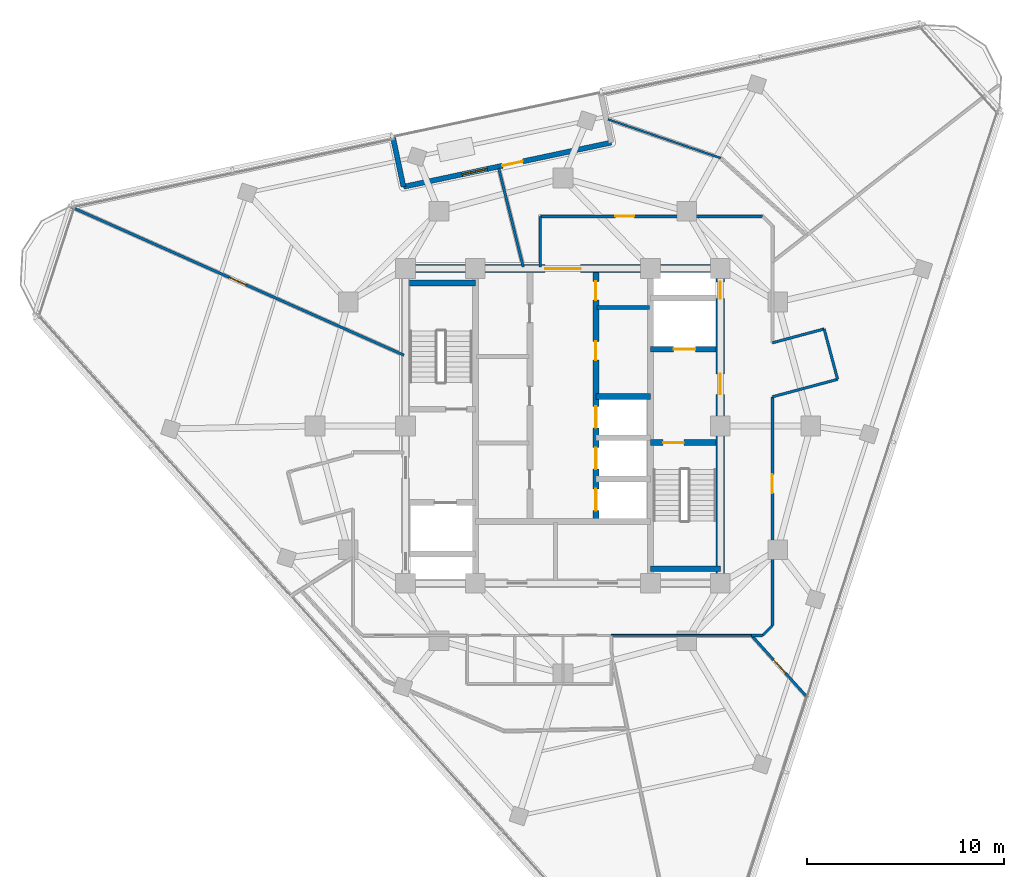
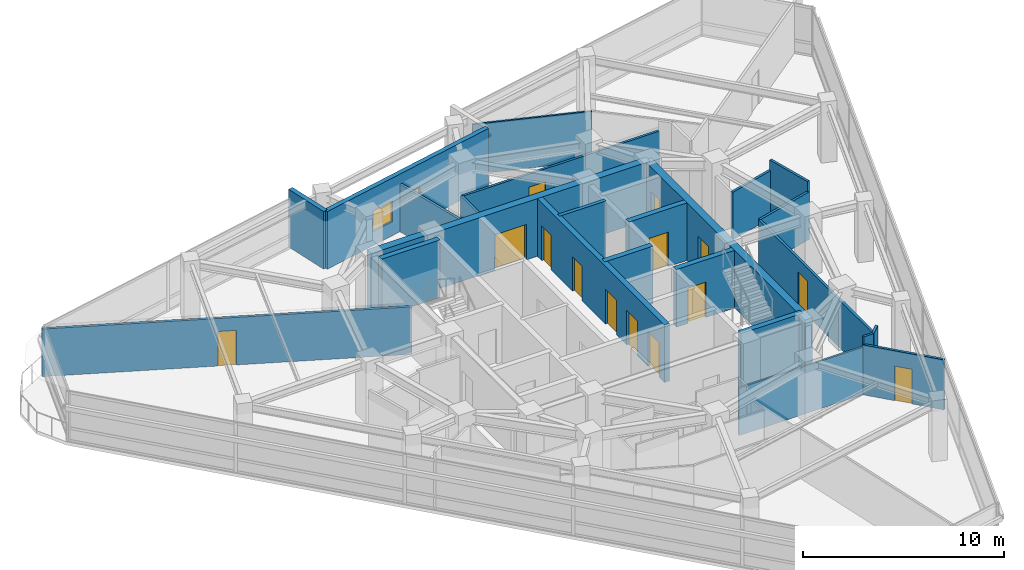
# One storey, part 9 of 15: 24 walls, 15 doors, 1 window, 16 openings.
"""IFC4 building model written with IfcOpenShell, lengths in metres."""

from ifc_helpers import new_model, si_unit, direction, frame, frame_2d, origin, place, context, subcontext, project, spatial, rectangle, extrude, material, layer, layer_set, type_object, element, fill, save


model = new_model("IFC4")

# Units and contexts
model_context = context("Model", 3, precision=1e-05, world=origin(), true_north=direction((0.0, 1.0)))
body_context = subcontext(model_context, "Body", "Model", "MODEL_VIEW")
ifc_project = project(units=[si_unit("LENGTHUNIT", "METRE"), si_unit("AREAUNIT", "SQUARE_METRE"), si_unit("VOLUMEUNIT", "CUBIC_METRE"), si_unit("PLANEANGLEUNIT", "RADIAN"), si_unit("MASSUNIT", "GRAM", prefix="KILO")], contexts=[model_context])

# Site, building, storey
site_placement = place(None, origin())
site = spatial("IfcSite", under=ifc_project, at=site_placement, CompositionType="ELEMENT")
building_placement = place(site_placement, origin())
building = spatial("IfcBuilding", under=site, at=building_placement, Name="Terralouvre Media Tower", CompositionType="ELEMENT")
storey_placement = place(building_placement, frame((0.0, 0.0, 290.60009765625)))
storey = spatial("IfcBuildingStorey", under=building, at=storey_placement, Name="L75", CompositionType="ELEMENT", Elevation=290.60009765625)

# Wall
ifc_material_1 = material(Name="Concrete C50/60", Category="concrete")
ifc_layer_1 = layer(ifc_material_1, 0.300048828125, Name="Core Internal Shaft Wall CW-300")
ifc_layer_set_1 = layer_set([ifc_layer_1], Name="Concrete C50/60")
wall_type_1 = type_object("IfcWallType", Name="Core Internal Shaft Wall CW-300", PredefinedType="SHEAR", material=ifc_layer_set_1)
wall_1_placement = place(storey_placement, frame((-7.7900390625, 7.260009765625, 0.0), z_axis=(0.0, 0.0, 1.0), x_axis=(1.0, 0.0, 0.0)))
element("IfcWall", 1, at=wall_1_placement, inside=storey, type_object=wall_type_1, Name="L75 Core Shaft Wall ST1F", PredefinedType="SHEAR", context=body_context, shape_type="SweptSolid", body=[
    extrude(rectangle(XDim=3.340087890625, YDim=0.300048828125, at=frame_2d((1.669921875, 0.0))), origin(), (0.0, 0.0, 1.0), 3.5),
])

# Wall, opening, door
wall_2_placement = place(storey_placement, frame((4.449951171875, -0.85009765625, 0.0), z_axis=(0.0, 0.0, 1.0), x_axis=(1.0, 0.0, 0.0)))
wall_2 = element("IfcWall", 2, at=wall_2_placement, inside=storey, type_object=wall_type_1, Name="L75 Core Shaft Wall ST2D", PredefinedType="SHEAR", context=body_context, shape_type="SweptSolid", body=[
    extrude(rectangle(XDim=3.340087890625, YDim=0.300048828125, at=frame_2d((1.669921875, 0.0))), origin(), (0.0, 0.0, 1.0), 3.5),
])
opening_1_placement = place(wall_2_placement, frame((0.64990234375, 0.0, 0.0)))
opening_1 = element("IfcOpeningElement", 3, at=opening_1_placement, cuts=wall_2, Name="Opening FD-01-105X215", PredefinedType="OPENING", context=body_context, shape_type="SweptSolid", body=[
    extrude(rectangle(XDim=1.050048828125, YDim=2.14990234375, at=frame_2d((0.52490234375, 1.074951171875))), frame((0.0, 0.159912109375, 0.0), z_axis=(0.0, -1.0, 0.0), x_axis=(1.0, 0.0, 0.0)), (0.0, 0.0, 1.0), 0.320068359375),
])
ifc_material_2 = material(Name="Galvanised steel fire-resisting leaf", Category="steel")
door_type_1 = type_object("IfcDoorType", Name="Stair and Firefighting Lobby Fire Door FD-01 (1050x2150)", OperationType="NOTDEFINED", PredefinedType="DOOR", material=ifc_material_2)
door_1_placement = place(opening_1_placement, origin())
door_1 = element("IfcDoor", 4, at=door_1_placement, inside=storey, type_object=door_type_1, Name="L75 ST-02 Exit Stair Door", OperationType="SINGLE_SWING_RIGHT", OverallHeight=2.14990234375, OverallWidth=1.050048828125, PredefinedType="DOOR", context=body_context, shape_type="SweptSolid", body=[
    extrude(rectangle(XDim=1.050048828125, YDim=2.14990234375, at=frame_2d((0.52490234375, 1.074951171875))), frame((0.0, 0.02490234375, 0.0), z_axis=(0.0, -1.0, 0.0), x_axis=(1.0, 0.0, 0.0)), (0.0, 0.0, 1.0), 0.050048828125),
])
fill(opening_1, door_1)

# Wall
wall_3_placement = place(storey_placement, frame((4.449951171875, -7.260009765625, 0.0), z_axis=(0.0, 0.0, 1.0), x_axis=(1.0, 0.0, 0.0)))
element("IfcWall", 5, at=wall_3_placement, inside=storey, type_object=wall_type_1, Name="L75 Core Shaft Wall ST2F", PredefinedType="SHEAR", context=body_context, shape_type="SweptSolid", body=[
    extrude(rectangle(XDim=3.550048828125, YDim=0.300048828125, at=frame_2d((1.77490234375, 0.0))), origin(), (0.0, 0.0, 1.0), 3.5),
])

# Wall, opening, door
wall_4_placement = place(storey_placement, frame((4.449951171875, 3.89990234375, 0.0), z_axis=(0.0, 0.0, 1.0), x_axis=(1.0, 0.0, 0.0)))
wall_4 = element("IfcWall", 6, at=wall_4_placement, inside=storey, type_object=wall_type_1, Name="L75 Core Shaft Wall FF2S", PredefinedType="SHEAR", context=body_context, shape_type="SweptSolid", body=[
    extrude(rectangle(XDim=3.340087890625, YDim=0.300048828125, at=frame_2d((1.669921875, 0.0))), origin(), (0.0, 0.0, 1.0), 3.5),
])
opening_2_placement = place(wall_4_placement, frame((1.179931640625, 0.0, 0.0)))
opening_2 = element("IfcOpeningElement", 7, at=opening_2_placement, cuts=wall_4, Name="Opening LD-FF", PredefinedType="OPENING", context=body_context, shape_type="SweptSolid", body=[
    extrude(rectangle(XDim=1.10009765625, YDim=2.10009765625, at=frame_2d((0.550048828125, 1.050048828125))), frame((0.0, 0.159912109375, 0.0), z_axis=(0.0, -1.0, 0.0), x_axis=(1.0, 0.0, 0.0)), (0.0, 0.0, 1.0), 0.320068359375),
])
ifc_material_3 = material(Name="Stainless steel 316 handrail and balustrade", Category="steel")
door_type_2 = type_object("IfcDoorType", Name="Firefighting Lift Sliding Landing Door LD-FF", OperationType="SLIDING_TO_LEFT", PredefinedType="DOOR", material=ifc_material_3)
door_2_placement = place(opening_2_placement, origin())
door_2 = element("IfcDoor", 8, at=door_2_placement, inside=storey, type_object=door_type_2, Name="L75 Firefighting Lift FFL-02 Landing Door", OperationType="SLIDING_TO_LEFT", OverallHeight=2.10009765625, OverallWidth=1.10009765625, PredefinedType="DOOR", context=body_context, shape_type="SweptSolid", body=[
    extrude(rectangle(XDim=1.10009765625, YDim=2.10009765625, at=frame_2d((0.550048828125, 1.050048828125))), frame((0.0, 0.02490234375, 0.0), z_axis=(0.0, -1.0, 0.0), x_axis=(1.0, 0.0, 0.0)), (0.0, 0.0, 1.0), 0.050048828125),
])
fill(opening_2, door_2)

# Wall, openings, doors
wall_5_placement = place(storey_placement, frame((1.679931640625, -4.85009765625, 0.0), z_axis=(0.0, 0.0, 1.0), x_axis=(0.0, 1.0, 0.0)))
wall_5 = element("IfcWall", 9, at=wall_5_placement, inside=storey, type_object=wall_type_1, Name="L75 Core Shaft Wall LBE", PredefinedType="SHEAR", context=body_context, shape_type="SweptSolid", body=[
    extrude(rectangle(XDim=12.64013671875, YDim=0.300048828125, at=frame_2d((6.320068359375, 0.0))), origin(), (0.0, 0.0, 1.0), 3.5),
])
opening_3_placement = place(wall_5_placement, frame((0.550048828125, 0.0, 0.0)))
opening_3 = element("IfcOpeningElement", 10, at=opening_3_placement, cuts=wall_5, Name="Opening LD-PL", PredefinedType="OPENING", context=body_context, shape_type="SweptSolid", body=[
    extrude(rectangle(XDim=1.10009765625, YDim=2.10009765625, at=frame_2d((0.550048828125, 1.050048828125))), frame((0.0, 0.159912109375, 0.0), z_axis=(0.0, -1.0, 0.0), x_axis=(1.0, 0.0, 0.0)), (0.0, 0.0, 1.0), 0.320068359375),
])
opening_4_placement = place(wall_5_placement, frame((2.64990234375, 0.0, 0.0)))
opening_4 = element("IfcOpeningElement", 11, at=opening_4_placement, cuts=wall_5, Name="Opening LD-PL", PredefinedType="OPENING", context=body_context, shape_type="SweptSolid", body=[
    extrude(rectangle(XDim=1.10009765625, YDim=2.10009765625, at=frame_2d((0.550048828125, 1.050048828125))), frame((0.0, 0.159912109375, 0.0), z_axis=(0.0, -1.0, 0.0), x_axis=(1.0, 0.0, 0.0)), (0.0, 0.0, 1.0), 0.320068359375),
])
opening_5_placement = place(wall_5_placement, frame((4.75, 0.0, 0.0)))
opening_5 = element("IfcOpeningElement", 12, at=opening_5_placement, cuts=wall_5, Name="Opening LD-PL", PredefinedType="OPENING", context=body_context, shape_type="SweptSolid", body=[
    extrude(rectangle(XDim=1.10009765625, YDim=2.10009765625, at=frame_2d((0.550048828125, 1.050048828125))), frame((0.0, 0.159912109375, 0.0), z_axis=(0.0, -1.0, 0.0), x_axis=(1.0, 0.0, 0.0)), (0.0, 0.0, 1.0), 0.320068359375),
])
opening_6_placement = place(wall_5_placement, frame((8.199951171875, 0.0, 0.0)))
opening_6 = element("IfcOpeningElement", 13, at=opening_6_placement, cuts=wall_5, Name="Opening FD-02-95X210", PredefinedType="OPENING", context=body_context, shape_type="SweptSolid", body=[
    extrude(rectangle(XDim=0.949951171875, YDim=2.10009765625, at=frame_2d((0.47509765625, 1.050048828125))), frame((0.0, 0.159912109375, 0.0), z_axis=(0.0, -1.0, 0.0), x_axis=(1.0, 0.0, 0.0)), (0.0, 0.0, 1.0), 0.320068359375),
])
opening_7_placement = place(wall_5_placement, frame((11.25, 0.0, 0.0)))
opening_7 = element("IfcOpeningElement", 14, at=opening_7_placement, cuts=wall_5, Name="Opening SD-02", PredefinedType="OPENING", context=body_context, shape_type="SweptSolid", body=[
    extrude(rectangle(XDim=0.949951171875, YDim=2.10009765625, at=frame_2d((0.47509765625, 1.050048828125))), frame((0.0, 0.159912109375, 0.0), z_axis=(0.0, -1.0, 0.0), x_axis=(1.0, 0.0, 0.0)), (0.0, 0.0, 1.0), 0.320068359375),
])
ifc_material_4 = material(Name="Galvanised steel fire-resisting leaf", Category="steel")
door_type_3 = type_object("IfcDoorType", Name="Core Service Sliding Fire Door SD-02", OperationType="SLIDING_TO_LEFT", PredefinedType="DOOR", material=ifc_material_4)
door_3_placement = place(opening_7_placement, origin())
door_3 = element("IfcDoor", 15, at=door_3_placement, inside=storey, type_object=door_type_3, Name="L75 Core Hospitality Store Door", OperationType="SLIDING_TO_LEFT", OverallHeight=2.10009765625, OverallWidth=0.949951171875, PredefinedType="DOOR", context=body_context, shape_type="SweptSolid", body=[
    extrude(rectangle(XDim=0.949951171875, YDim=2.10009765625, at=frame_2d((0.47509765625, 1.050048828125))), frame((0.0, 0.02490234375, 0.0), z_axis=(0.0, -1.0, 0.0), x_axis=(1.0, 0.0, 0.0)), (0.0, 0.0, 1.0), 0.050048828125),
])
fill(opening_7, door_3)
ifc_material_5 = material(Name="Stainless steel 316 handrail and balustrade", Category="steel")
door_type_4 = type_object("IfcDoorType", Name="Passenger Lift Sliding Landing Door LD-PL", OperationType="SLIDING_TO_LEFT", PredefinedType="DOOR", material=ifc_material_5)
door_4_placement = place(opening_3_placement, origin())
door_4 = element("IfcDoor", 16, at=door_4_placement, inside=storey, type_object=door_type_4, Name="L75 High-Rise Lift PL-H1 Landing Door", OperationType="SLIDING_TO_LEFT", OverallHeight=2.10009765625, OverallWidth=1.10009765625, PredefinedType="DOOR", context=body_context, shape_type="SweptSolid", body=[
    extrude(rectangle(XDim=1.10009765625, YDim=2.10009765625, at=frame_2d((0.550048828125, 1.050048828125))), frame((0.0, 0.02490234375, 0.0), z_axis=(0.0, -1.0, 0.0), x_axis=(1.0, 0.0, 0.0)), (0.0, 0.0, 1.0), 0.050048828125),
])
fill(opening_3, door_4)
door_5_placement = place(opening_4_placement, origin())
door_5 = element("IfcDoor", 17, at=door_5_placement, inside=storey, type_object=door_type_4, Name="L75 High-Rise Lift PL-H2 Landing Door", OperationType="SLIDING_TO_LEFT", OverallHeight=2.10009765625, OverallWidth=1.10009765625, PredefinedType="DOOR", context=body_context, shape_type="SweptSolid", body=[
    extrude(rectangle(XDim=1.10009765625, YDim=2.10009765625, at=frame_2d((0.550048828125, 1.050048828125))), frame((0.0, 0.02490234375, 0.0), z_axis=(0.0, -1.0, 0.0), x_axis=(1.0, 0.0, 0.0)), (0.0, 0.0, 1.0), 0.050048828125),
])
fill(opening_4, door_5)
door_6_placement = place(opening_5_placement, origin())
door_6 = element("IfcDoor", 18, at=door_6_placement, inside=storey, type_object=door_type_4, Name="L75 High-Rise Lift PL-H3 Landing Door", OperationType="SLIDING_TO_LEFT", OverallHeight=2.10009765625, OverallWidth=1.10009765625, PredefinedType="DOOR", context=body_context, shape_type="SweptSolid", body=[
    extrude(rectangle(XDim=1.10009765625, YDim=2.10009765625, at=frame_2d((0.550048828125, 1.050048828125))), frame((0.0, 0.02490234375, 0.0), z_axis=(0.0, -1.0, 0.0), x_axis=(1.0, 0.0, 0.0)), (0.0, 0.0, 1.0), 0.050048828125),
])
fill(opening_5, door_6)
ifc_material_6 = material(Name="Galvanised steel fire-resisting leaf", Category="steel")
door_type_5 = type_object("IfcDoorType", Name="Plant and Riser Fire Door FD-02 (950x2100)", OperationType="NOTDEFINED", PredefinedType="DOOR", material=ifc_material_6)
door_7_placement = place(opening_6_placement, origin())
door_7 = element("IfcDoor", 19, at=door_7_placement, inside=storey, type_object=door_type_5, Name="L75 Core Telemetry Plant Door", OperationType="SINGLE_SWING_RIGHT", OverallHeight=2.10009765625, OverallWidth=0.949951171875, PredefinedType="DOOR", context=body_context, shape_type="SweptSolid", body=[
    extrude(rectangle(XDim=0.949951171875, YDim=2.10009765625, at=frame_2d((0.47509765625, 1.050048828125))), frame((0.0, 0.02490234375, 0.0), z_axis=(0.0, -1.0, 0.0), x_axis=(1.0, 0.0, 0.0)), (0.0, 0.0, 1.0), 0.050048828125),
])
fill(opening_6, door_7)

# Wall
wall_6_placement = place(storey_placement, frame((1.679931640625, 1.5, 0.0), z_axis=(0.0, 0.0, 1.0), x_axis=(1.0, 0.0, 0.0)))
element("IfcWall", 20, at=wall_6_placement, inside=storey, type_object=wall_type_1, Name="L75 Core Shaft Wall PLMBOT", PredefinedType="SHEAR", context=body_context, shape_type="SweptSolid", body=[
    extrude(rectangle(XDim=2.77001953125, YDim=0.300048828125, at=frame_2d((1.385009765625, 0.0))), origin(), (0.0, 0.0, 1.0), 3.5),
])

# Wall, openings, doors
ifc_material_7 = material(Name="Concrete C60/75", Category="concrete")
ifc_layer_2 = layer(ifc_material_7, 0.419921875, Name="Core Reinforced Concrete Shear Wall CW-420")
ifc_layer_set_2 = layer_set([ifc_layer_2], Name="Concrete C60/75")
wall_type_2 = type_object("IfcWallType", Name="Core Reinforced Concrete Shear Wall CW-420", PredefinedType="SHEAR", material=ifc_layer_set_2)
wall_7_placement = place(storey_placement, frame((8.0, -8.0, 0.0), z_axis=(0.0, 0.0, 1.0), x_axis=(0.0, 1.0, 0.0)))
wall_7 = element("IfcWall", 21, at=wall_7_placement, inside=storey, type_object=wall_type_2, Name="L75 E Core Shear Wall", PredefinedType="SHEAR", context=body_context, shape_type="SweptSolid", body=[
    extrude(rectangle(XDim=16.0, YDim=0.419921875, at=frame_2d((8.0, 0.0))), origin(), (0.0, 0.0, 1.0), 3.5),
])
opening_8_placement = place(wall_7_placement, frame((9.60009765625, 0.0, 0.0)))
opening_8 = element("IfcOpeningElement", 22, at=opening_8_placement, cuts=wall_7, Name="Opening FD-01-105X215", PredefinedType="OPENING", context=body_context, shape_type="SweptSolid", body=[
    extrude(rectangle(XDim=1.050048828125, YDim=2.14990234375, at=frame_2d((0.52490234375, 1.074951171875))), frame((0.0, 0.219970703125, 0.0), z_axis=(0.0, -1.0, 0.0), x_axis=(1.0, 0.0, 0.0)), (0.0, 0.0, 1.0), 0.43994140625),
])
opening_9_placement = place(wall_7_placement, frame((14.468994140625, 0.0, 0.0)))
opening_9 = element("IfcOpeningElement", 23, at=opening_9_placement, cuts=wall_7, Name="Opening TD-R1", PredefinedType="OPENING", context=body_context, shape_type="SweptSolid", body=[
    extrude(rectangle(XDim=0.85009765625, YDim=2.02001953125, at=frame_2d((0.425048828125, 1.010009765625))), frame((0.0, 0.219970703125, 0.0), z_axis=(0.0, -1.0, 0.0), x_axis=(1.0, 0.0, 0.0)), (0.0, 0.0, 1.0), 0.43994140625),
])
ifc_material_8 = material(Name="Galvanised steel fire-resisting leaf", Category="steel")
door_type_6 = type_object("IfcDoorType", Name="Riser Inspection Access Trapdoor TD-R1", OperationType="NOTDEFINED", PredefinedType="TRAPDOOR", material=ifc_material_8)
door_8_placement = place(opening_9_placement, origin())
door_8 = element("IfcDoor", 24, at=door_8_placement, inside=storey, type_object=door_type_6, Name="L75 East Comms Riser Access Trapdoor", OperationType="SINGLE_SWING_RIGHT", OverallHeight=2.02001953125, OverallWidth=0.85009765625, PredefinedType="TRAPDOOR", context=body_context, shape_type="SweptSolid", body=[
    extrude(rectangle(XDim=0.85009765625, YDim=2.02001953125, at=frame_2d((0.425048828125, 1.010009765625))), frame((0.0, 0.02490234375, 0.0), z_axis=(0.0, -1.0, 0.0), x_axis=(1.0, 0.0, 0.0)), (0.0, 0.0, 1.0), 0.050048828125),
])
fill(opening_9, door_8)
door_9_placement = place(opening_8_placement, origin())
door_9 = element("IfcDoor", 25, at=door_9_placement, inside=storey, type_object=door_type_1, Name="L75 East Firefighting Lobby Entry Door", OperationType="SINGLE_SWING_LEFT", OverallHeight=2.14990234375, OverallWidth=1.050048828125, PredefinedType="DOOR", context=body_context, shape_type="SweptSolid", body=[
    extrude(rectangle(XDim=1.050048828125, YDim=2.14990234375, at=frame_2d((0.52490234375, 1.074951171875))), frame((0.0, 0.02490234375, 0.0), z_axis=(0.0, -1.0, 0.0), x_axis=(1.0, 0.0, 0.0)), (0.0, 0.0, 1.0), 0.050048828125),
])
fill(opening_8, door_9)

# Wall, opening, door
wall_8_placement = place(storey_placement, frame((-8.0, 8.0, 0.0), z_axis=(0.0, 0.0, 1.0), x_axis=(1.0, 0.0, 0.0)))
wall_8 = element("IfcWall", 26, at=wall_8_placement, inside=storey, type_object=wall_type_2, Name="L75 N Core Shear Wall", PredefinedType="SHEAR", context=body_context, shape_type="SweptSolid", body=[
    extrude(rectangle(XDim=16.0, YDim=0.419921875, at=frame_2d((8.0, 0.0))), origin(), (0.0, 0.0, 1.0), 3.5),
])
opening_10_placement = place(wall_8_placement, frame((7.10009765625, 0.0, 0.0)))
opening_10 = element("IfcOpeningElement", 27, at=opening_10_placement, cuts=wall_8, Name="Opening FD-03", PredefinedType="OPENING", context=body_context, shape_type="SweptSolid", body=[
    extrude(rectangle(XDim=1.800048828125, YDim=2.14990234375, at=frame_2d((0.89990234375, 1.074951171875))), frame((0.0, 0.219970703125, 0.0), z_axis=(0.0, -1.0, 0.0), x_axis=(1.0, 0.0, 0.0)), (0.0, 0.0, 1.0), 0.43994140625),
])
ifc_material_9 = material(Name="Galvanised steel fire-resisting leaf", Category="steel")
door_type_7 = type_object("IfcDoorType", Name="Corridor Smoke-Control Double Door FD-03", OperationType="DOUBLE_DOOR_SINGLE_SWING", PredefinedType="DOOR", material=ifc_material_9)
door_10_placement = place(opening_10_placement, origin())
door_10 = element("IfcDoor", 28, at=door_10_placement, inside=storey, type_object=door_type_7, Name="L75 Central Lift Lobby Portal Door", OperationType="DOUBLE_DOOR_SINGLE_SWING", OverallHeight=2.14990234375, OverallWidth=1.800048828125, PredefinedType="DOOR", context=body_context, shape_type="SweptSolid", body=[
    extrude(rectangle(XDim=1.800048828125, YDim=2.14990234375, at=frame_2d((0.89990234375, 1.074951171875))), frame((0.0, 0.02490234375, 0.0), z_axis=(0.0, -1.0, 0.0), x_axis=(1.0, 0.0, 0.0)), (0.0, 0.0, 1.0), 0.050048828125),
])
fill(opening_10, door_10)

# Walls
ifc_material_10 = material(Name="Low-iron laminated double glazing with solar-control coating", Category="glass")
ifc_layer_3 = layer(ifc_material_10, 0.10009765625, Name="Demountable Glazed Office Partition PT-GL100")
ifc_layer_set_3 = layer_set([ifc_layer_3], Name="Low-iron laminated double glazing with solar-control coating")
wall_type_3 = type_object("IfcWallType", Name="Demountable Glazed Office Partition PT-GL100", PredefinedType="MOVABLE", material=ifc_layer_set_3)
wall_9_placement = place(storey_placement, frame((2.449951171875, -10.64990234375, 0.0), z_axis=(0.0, 0.0, 1.0), x_axis=(1.0, 0.0, 0.0)))
element("IfcWall", 29, at=wall_9_placement, inside=storey, type_object=wall_type_3, Name="L75 Interior Partition 019", PredefinedType="MOVABLE", context=body_context, shape_type="SweptSolid", body=[
    extrude(rectangle(XDim=7.13916015625, YDim=0.10009765625, at=frame_2d((3.569580078125, 0.0))), origin(), (0.0, 0.0, 1.0), 2.885009765625),
])
wall_10_placement = place(storey_placement, frame((2.28955078125, 15.5859375, 0.0), z_axis=(0.0, 0.0, 1.0), x_axis=(0.945564214682, -0.325435578745, 0.0)))
element("IfcWall", 30, at=wall_10_placement, inside=storey, type_object=wall_type_3, Name="L75 Interior Partition 043", PredefinedType="MOVABLE", context=body_context, shape_type="SweptSolid", body=[
    extrude(rectangle(XDim=6.059326171875, YDim=0.10009765625, at=frame_2d((3.02978515625, 0.0))), origin(), (0.0, 0.0, 1.0), 3.034912109375),
])
ifc_material_11 = material(Name="Fire-rated gypsum board drywall partition")
ifc_layer_4 = layer(ifc_material_11, 0.199951171875, Name="Fire-Rated Shaft and Lobby Partition FW-200")
ifc_layer_set_4 = layer_set([ifc_layer_4], Name="Fire-rated gypsum board drywall partition")
wall_type_4 = type_object("IfcWallType", Name="Fire-Rated Shaft and Lobby Partition FW-200", PredefinedType="SOLIDWALL", material=ifc_layer_set_4)
wall_11_placement = place(storey_placement, frame((1.719970703125, 6.010009765625, 0.0), z_axis=(0.0, 0.0, 1.0), x_axis=(1.0, 0.0, 0.0)))
element("IfcWall", 31, at=wall_11_placement, inside=storey, type_object=wall_type_4, Name="L75 Core East Sub-Partition 1", PredefinedType="SOLIDWALL", context=body_context, shape_type="SweptSolid", body=[
    extrude(rectangle(XDim=2.679931640625, YDim=0.199951171875, at=frame_2d((1.33984375, 0.0))), origin(), (0.0, 0.0, 1.0), 3.5),
])
ifc_material_12 = material(Name="Fire-rated gypsum board drywall partition")
ifc_layer_5 = layer(ifc_material_12, 0.135009765625, Name="Newsroom Acoustic Partition PT-135")
ifc_layer_set_5 = layer_set([ifc_layer_5], Name="Fire-rated gypsum board drywall partition")
wall_type_5 = type_object("IfcWallType", Name="Newsroom Acoustic Partition PT-135", PredefinedType="PARTITIONING", material=ifc_layer_set_5)
wall_12_placement = place(storey_placement, frame((9.589111328125, -10.64990234375, 0.0), z_axis=(0.0, 0.0, 1.0), x_axis=(1.0, 0.0, 0.0)))
element("IfcWall", 32, at=wall_12_placement, inside=storey, type_object=wall_type_5, Name="L75 Interior Partition 006", PredefinedType="PARTITIONING", context=body_context, shape_type="SweptSolid", body=[
    extrude(rectangle(XDim=0.560791015625, YDim=0.135009765625, at=frame_2d((0.2802734375, 0.0))), origin(), (0.0, 0.0, 1.0), 3.5),
])
wall_13_placement = place(storey_placement, frame((10.14990234375, -10.64990234375, 0.0), z_axis=(0.0, 0.0, 1.0), x_axis=(0.707106781187, 0.707106781187, 0.0)))
element("IfcWall", 33, at=wall_13_placement, inside=storey, type_object=wall_type_5, Name="L75 Interior Partition 007", PredefinedType="PARTITIONING", context=body_context, shape_type="SweptSolid", body=[
    extrude(rectangle(XDim=0.70703125, YDim=0.135009765625, at=frame_2d((0.353515625, 0.0))), origin(), (0.0, 0.0, 1.0), 3.5),
])

# Wall, opening, door
wall_14_placement = place(storey_placement, frame((10.64990234375, -10.14990234375, 0.0), z_axis=(0.0, 0.0, 1.0), x_axis=(0.0, 1.0, 0.0)))
wall_14 = element("IfcWall", 34, at=wall_14_placement, inside=storey, type_object=wall_type_5, Name="L75 Interior Partition 008", PredefinedType="PARTITIONING", context=body_context, shape_type="SweptSolid", body=[
    extrude(rectangle(XDim=11.6318359375, YDim=0.135009765625, at=frame_2d((5.81591796875, 0.0))), origin(), (0.0, 0.0, 1.0), 2.885009765625),
])
opening_11_placement = place(wall_14_placement, frame((6.73681640625, 0.0, 0.0)))
opening_11 = element("IfcOpeningElement", 35, at=opening_11_placement, cuts=wall_14, Name="Opening ID-02-95X210", PredefinedType="OPENING", context=body_context, shape_type="SweptSolid", body=[
    extrude(rectangle(XDim=0.949951171875, YDim=2.10009765625, at=frame_2d((0.47509765625, 1.050048828125))), frame((0.0, 0.077392578125, 0.0), z_axis=(0.0, -1.0, 0.0), x_axis=(1.0, 0.0, 0.0)), (0.0, 0.0, 1.0), 0.155029296875),
])
ifc_material_13 = material(Name="Engineered hardwood acoustic timber leaf", Category="wood")
door_type_8 = type_object("IfcDoorType", Name="Office and Meeting Room Door ID-02 (950x2100)", OperationType="NOTDEFINED", PredefinedType="DOOR", material=ifc_material_13)
door_11_placement = place(opening_11_placement, origin())
door_11 = element("IfcDoor", 36, at=door_11_placement, inside=storey, type_object=door_type_8, Name="L75 Training Equipment Store 2 Door", OperationType="SINGLE_SWING_LEFT", OverallHeight=2.10009765625, OverallWidth=0.949951171875, PredefinedType="DOOR", context=body_context, shape_type="SweptSolid", body=[
    extrude(rectangle(XDim=0.949951171875, YDim=2.10009765625, at=frame_2d((0.47509765625, 1.050048828125))), frame((0.0, 0.02490234375, 0.0), z_axis=(0.0, -1.0, 0.0), x_axis=(1.0, 0.0, 0.0)), (0.0, 0.0, 1.0), 0.050048828125),
])
fill(opening_11, door_11)

# Walls
wall_15_placement = place(storey_placement, frame((10.64990234375, 1.48193359375, 0.0), z_axis=(0.0, 0.0, 1.0), x_axis=(0.965961397105, 0.2586862565, 0.0)))
element("IfcWall", 37, at=wall_15_placement, inside=storey, type_object=wall_type_5, Name="L75 Interior Partition 009", PredefinedType="PARTITIONING", context=body_context, shape_type="SweptSolid", body=[
    extrude(rectangle(XDim=3.4287109375, YDim=0.135009765625, at=frame_2d((1.71435546875, 0.0))), origin(), (0.0, 0.0, 1.0), 2.885009765625),
])
wall_16_placement = place(storey_placement, frame((13.9619140625, 2.368896484375, 0.0), z_axis=(0.0, 0.0, 1.0), x_axis=(-0.258413725385, 0.966034340245, 0.0)))
element("IfcWall", 38, at=wall_16_placement, inside=storey, type_object=wall_type_5, Name="L75 Interior Partition 010", PredefinedType="PARTITIONING", context=body_context, shape_type="SweptSolid", body=[
    extrude(rectangle(XDim=2.650146484375, YDim=0.135009765625, at=frame_2d((1.3251953125, 0.0))), origin(), (0.0, 0.0, 1.0), 3.5),
])
wall_17_placement = place(storey_placement, frame((13.277099609375, 4.928955078125, 0.0), z_axis=(0.0, 0.0, 1.0), x_axis=(-0.965934830229, -0.258785439601, 0.0)))
element("IfcWall", 39, at=wall_17_placement, inside=storey, type_object=wall_type_5, Name="L75 Interior Partition 011", PredefinedType="PARTITIONING", context=body_context, shape_type="SweptSolid", body=[
    extrude(rectangle(XDim=2.719970703125, YDim=0.135009765625, at=frame_2d((1.35986328125, 0.0))), origin(), (0.0, 0.0, 1.0), 2.885009765625),
])

# Wall, opening, door
wall_18_placement = place(storey_placement, frame((10.14990234375, 10.64990234375, 0.0), z_axis=(0.0, 0.0, 1.0), x_axis=(-1.0, 0.0, 0.0)))
wall_18 = element("IfcWall", 40, at=wall_18_placement, inside=storey, type_object=wall_type_5, Name="L75 Interior Partition 022", PredefinedType="PARTITIONING", context=body_context, shape_type="SweptSolid", body=[
    extrude(rectangle(XDim=11.2998046875, YDim=0.135009765625, at=frame_2d((5.64990234375, 0.0))), origin(), (0.0, 0.0, 1.0), 2.885009765625),
])
opening_12_placement = place(wall_18_placement, frame((6.531005859375, 0.0, 0.0)))
opening_12 = element("IfcOpeningElement", 41, at=opening_12_placement, cuts=wall_18, Name="Opening ID-02-95X210", PredefinedType="OPENING", context=body_context, shape_type="SweptSolid", body=[
    extrude(rectangle(XDim=0.949951171875, YDim=2.10009765625, at=frame_2d((0.47509765625, 1.050048828125))), frame((0.0, 0.077392578125, 0.0), z_axis=(0.0, -1.0, 0.0), x_axis=(1.0, 0.0, 0.0)), (0.0, 0.0, 1.0), 0.155029296875),
])
door_12_placement = place(opening_12_placement, origin())
door_12 = element("IfcDoor", 42, at=door_12_placement, inside=storey, type_object=door_type_8, Name="L75 Media Reference Library 7 Door", OperationType="SINGLE_SWING_RIGHT", OverallHeight=2.10009765625, OverallWidth=0.949951171875, PredefinedType="DOOR", context=body_context, shape_type="SweptSolid", body=[
    extrude(rectangle(XDim=0.949951171875, YDim=2.10009765625, at=frame_2d((0.47509765625, 1.050048828125))), frame((0.0, 0.02490234375, 0.0), z_axis=(0.0, -1.0, 0.0), x_axis=(1.0, 0.0, 0.0)), (0.0, 0.0, 1.0), 0.050048828125),
])
fill(opening_12, door_12)

# Wall
wall_19_placement = place(storey_placement, frame((-1.14990234375, 10.64990234375, 0.0), z_axis=(0.0, 0.0, 1.0), x_axis=(0.0, -1.0, 0.0)))
element("IfcWall", 43, at=wall_19_placement, inside=storey, type_object=wall_type_5, Name="L75 Interior Partition 023", PredefinedType="PARTITIONING", context=body_context, shape_type="SweptSolid", body=[
    extrude(rectangle(XDim=2.56982421875, YDim=0.135009765625, at=frame_2d((1.284912109375, 0.0))), origin(), (0.0, 0.0, 1.0), 2.885009765625),
])

# Wall, opening, door
wall_20_placement = place(storey_placement, frame((-8.080078125, 3.59716796875, 0.0), z_axis=(0.0, 0.0, 1.0), x_axis=(-0.913542590258, 0.406743083266, 0.0)))
wall_20 = element("IfcWall", 44, at=wall_20_placement, inside=storey, type_object=wall_type_5, Name="L75 Interior Partition 026", PredefinedType="PARTITIONING", context=body_context, shape_type="SweptSolid", body=[
    extrude(rectangle(XDim=18.505126953125, YDim=0.135009765625, at=frame_2d((9.25244140625, 0.0))), origin(), (0.0, 0.0, 1.0), 2.885009765625),
])
opening_13_placement = place(wall_20_placement, frame((8.79248046875, 0.0, 0.0)))
opening_13 = element("IfcOpeningElement", 45, at=opening_13_placement, cuts=wall_20, Name="Opening ID-03-92X210", PredefinedType="OPENING", context=body_context, shape_type="SweptSolid", body=[
    extrude(rectangle(XDim=0.919921875, YDim=2.10009765625, at=frame_2d((0.4599609375, 1.050048828125))), frame((0.0, 0.077392578125, 0.0), z_axis=(0.0, -1.0, 0.0), x_axis=(1.0, 0.0, 0.0)), (0.0, 0.0, 1.0), 0.155029296875),
])
ifc_material_14 = material(Name="Engineered hardwood acoustic timber leaf", Category="wood")
door_type_9 = type_object("IfcDoorType", Name="Accessible Restroom and Suite Door ID-03 (920x2100)", OperationType="NOTDEFINED", PredefinedType="DOOR", material=ifc_material_14)
door_13_placement = place(opening_13_placement, origin())
door_13 = element("IfcDoor", 46, at=door_13_placement, inside=storey, type_object=door_type_9, Name="L75 Periodicals Reading Club 8 Door", OperationType="SINGLE_SWING_RIGHT", OverallHeight=2.10009765625, OverallWidth=0.919921875, PredefinedType="DOOR", context=body_context, shape_type="SweptSolid", body=[
    extrude(rectangle(XDim=0.919921875, YDim=2.10009765625, at=frame_2d((0.4599609375, 1.050048828125))), frame((0.0, 0.02490234375, 0.0), z_axis=(0.0, -1.0, 0.0), x_axis=(1.0, 0.0, 0.0)), (0.0, 0.0, 1.0), 0.050048828125),
])
fill(opening_13, door_13)

wall_21_placement = place(storey_placement, frame((9.589111328125, -10.64990234375, 0.0), z_axis=(0.0, 0.0, 1.0), x_axis=(0.66916439333, -0.743114402161, 0.0)))
wall_21 = element("IfcWall", 47, at=wall_21_placement, inside=storey, type_object=wall_type_5, Name="L75 Interior Partition 027", PredefinedType="PARTITIONING", context=body_context, shape_type="SweptSolid", body=[
    extrude(rectangle(XDim=4.255615234375, YDim=0.135009765625, at=frame_2d((2.1279296875, 0.0))), origin(), (0.0, 0.0, 1.0), 3.034912109375),
])
opening_14_placement = place(wall_21_placement, frame((1.667724609375, 0.0, 0.0)))
opening_14 = element("IfcOpeningElement", 48, at=opening_14_placement, cuts=wall_21, Name="Opening ID-03-92X210", PredefinedType="OPENING", context=body_context, shape_type="SweptSolid", body=[
    extrude(rectangle(XDim=0.919921875, YDim=2.10009765625, at=frame_2d((0.4599609375, 1.050048828125))), frame((0.0, 0.077392578125, 0.0), z_axis=(0.0, -1.0, 0.0), x_axis=(1.0, 0.0, 0.0)), (0.0, 0.0, 1.0), 0.155029296875),
])
door_14_placement = place(opening_14_placement, origin())
door_14 = element("IfcDoor", 49, at=door_14_placement, inside=storey, type_object=door_type_9, Name="L75 Voice Coaching Interview Room 5 Door", OperationType="SINGLE_SWING_RIGHT", OverallHeight=2.10009765625, OverallWidth=0.919921875, PredefinedType="DOOR", context=body_context, shape_type="SweptSolid", body=[
    extrude(rectangle(XDim=0.919921875, YDim=2.10009765625, at=frame_2d((0.4599609375, 1.050048828125))), frame((0.0, 0.02490234375, 0.0), z_axis=(0.0, -1.0, 0.0), x_axis=(1.0, 0.0, 0.0)), (0.0, 0.0, 1.0), 0.050048828125),
])
fill(opening_14, door_14)

# Wall
wall_22_placement = place(storey_placement, frame((-3.2666015625, 13.103515625, 0.0), z_axis=(0.0, 0.0, 1.0), x_axis=(0.241825418424, -0.970319775643, 0.0)))
element("IfcWall", 50, at=wall_22_placement, inside=storey, type_object=wall_type_5, Name="L75 Interior Partition 045", PredefinedType="PARTITIONING", context=body_context, shape_type="SweptSolid", body=[
    extrude(rectangle(XDim=5.177001953125, YDim=0.135009765625, at=frame_2d((2.58837890625, 0.0))), origin(), (0.0, 0.0, 1.0), 2.885009765625),
])

# Wall, openings, door, window
ifc_material_15 = material(Name="Kiln-fired architectural terracotta rainscreen cladding", Category="masonry")
ifc_layer_6 = layer(ifc_material_15, 0.260009765625, Name="Recessed Sky-Garden Acoustic Wall EW-SG260")
ifc_layer_set_6 = layer_set([ifc_layer_6], Name="Kiln-fired architectural terracotta rainscreen cladding")
wall_type_6 = type_object("IfcWallType", Name="Recessed Sky-Garden Acoustic Wall EW-SG260", PredefinedType="SOLIDWALL", material=ifc_layer_set_6)
wall_23_placement = place(storey_placement, frame((2.459228515625, 14.40234375, 0.0), z_axis=(0.0, 0.0, 1.0), x_axis=(-0.978149082982, -0.207904717268, 0.0)))
wall_23 = element("IfcWall", 51, at=wall_23_placement, inside=storey, type_object=wall_type_6, Name="L75 WP Recessed Loggia Back Wall", PredefinedType="SOLIDWALL", context=body_context, shape_type="SweptSolid", body=[
    extrude(rectangle(XDim=10.800048828125, YDim=0.260009765625, at=frame_2d((5.39990234375, 0.0))), origin(), (0.0, 0.0, 1.0), 3.5),
])
opening_15_placement = place(wall_23_placement, frame((4.60009765625, 0.0, 0.0)))
opening_15 = element("IfcOpeningElement", 52, at=opening_15_placement, cuts=wall_23, Name="Opening TD-02", PredefinedType="OPENING", context=body_context, shape_type="SweptSolid", body=[
    extrude(rectangle(XDim=1.050048828125, YDim=2.080078125, at=frame_2d((0.52490234375, 1.0400390625))), frame((0.0, 0.139892578125, 0.0), z_axis=(0.0, -1.0, 0.0), x_axis=(1.0, 0.0, 0.0)), (0.0, 0.0, 1.0), 0.280029296875),
])
opening_16_placement = place(wall_23_placement, frame((6.449951171875, 0.0, 0.85009765625)))
opening_16 = element("IfcOpeningElement", 53, at=opening_16_placement, cuts=wall_23, Name="Opening W-04A", PredefinedType="OPENING", context=body_context, shape_type="SweptSolid", body=[
    extrude(rectangle(XDim=1.300048828125, YDim=1.25, at=frame_2d((0.64990234375, 0.625))), frame((0.0, 0.139892578125, 0.0), z_axis=(0.0, -1.0, 0.0), x_axis=(1.0, 0.0, 0.0)), (0.0, 0.0, 1.0), 0.280029296875),
])
ifc_material_16 = material(Name="Anodised extruded aluminium 6063-T6", Category="aluminium")
door_type_10 = type_object("IfcDoorType", Name="Garden Terrace Single Door TD-02", OperationType="NOTDEFINED", PredefinedType="DOOR", material=ifc_material_16)
door_15_placement = place(opening_15_placement, frame((1.050048828125, 0.0, 0.0), z_axis=(0.0, 0.0, 1.0), x_axis=(-1.0, 0.0, 0.0)))
door_15 = element("IfcDoor", 54, at=door_15_placement, inside=storey, type_object=door_type_10, Name="L75 Wind-Portal Terrace Door", OperationType="SINGLE_SWING_LEFT", OverallHeight=2.080078125, OverallWidth=1.050048828125, PredefinedType="DOOR", context=body_context, shape_type="SweptSolid", body=[
    extrude(rectangle(XDim=1.050048828125, YDim=2.080078125, at=frame_2d((0.52490234375, 1.0400390625))), frame((0.0, 0.02490234375, 0.0), z_axis=(0.0, -1.0, 0.0), x_axis=(1.0, 0.0, 0.0)), (0.0, 0.0, 1.0), 0.050048828125),
])
fill(opening_15, door_15)
ifc_material_17 = material(Name="Low-iron laminated double glazing with solar-control coating", Category="glass")
window_type = type_object("IfcWindowType", Name="Lower Wind-Portal Observation Window W-04A", PartitioningType="SINGLE_PANEL", PredefinedType="WINDOW", material=ifc_material_17)
window_placement = place(opening_16_placement, origin())
window = element("IfcWindow", 55, at=window_placement, inside=storey, type_object=window_type, Name="L75 Pocket Loggia Window 1", OverallHeight=1.25, OverallWidth=1.300048828125, PartitioningType="SINGLE_PANEL", PredefinedType="WINDOW", context=body_context, shape_type="SweptSolid", body=[
    extrude(rectangle(XDim=1.300048828125, YDim=1.25, at=frame_2d((0.64990234375, 0.625))), frame((0.0, 0.030029296875, 0.0), z_axis=(0.0, -1.0, 0.0), x_axis=(1.0, 0.0, 0.0)), (0.0, 0.0, 1.0), 0.06005859375),
])
fill(opening_16, window)

# Wall
wall_24_placement = place(storey_placement, frame((-8.104736328125, 12.156982421875, 0.0), z_axis=(0.0, 0.0, 1.0), x_axis=(-0.207893569688, 0.978151452323, 0.0)))
element("IfcWall", 56, at=wall_24_placement, inside=storey, type_object=wall_type_6, Name="L75 WP Pocket Right Cheek Wall", PredefinedType="SOLIDWALL", context=body_context, shape_type="SweptSolid", body=[
    extrude(rectangle(XDim=2.60009765625, YDim=0.260009765625, at=frame_2d((1.300048828125, 0.0))), origin(), (0.0, 0.0, 1.0), 3.5),
])

save(model, "model.ifc")
